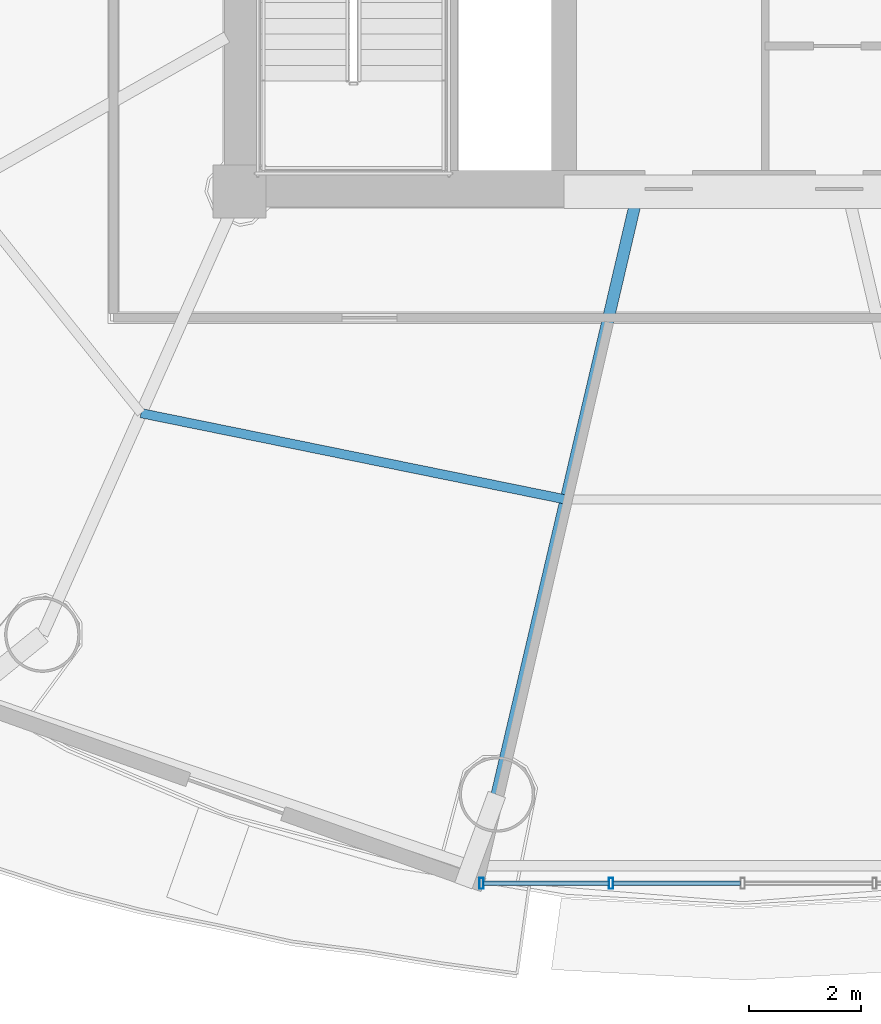
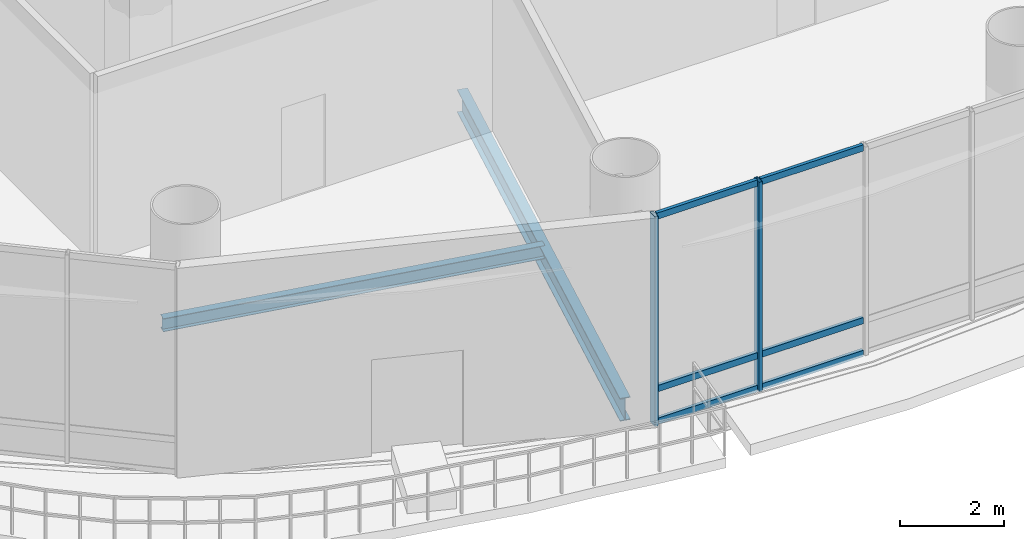
# One storey, part 4 of 29: 8 members, 2 beams, 1 element without a shape of its own.
"""IFC4 building model written with IfcOpenShell, lengths in metres."""

from ifc_helpers import new_model, si_unit, direction, frame, origin, origin_2d, place, context, subcontext, project, spatial, hollow_rectangle, i_section, extrude, source, transform, mapped, material, material_profile, profile_set, type_object, element, aggregate, save


model = new_model("IFC4")

# Units and contexts
model_context = context("Model", 3, precision=1e-05, world=origin(), true_north=direction((-0.2419218956, 0.970295726276)))
body_context = subcontext(model_context, "Body", "Model", "MODEL_VIEW")
ifc_project = project(units=[si_unit("LENGTHUNIT", "METRE"), si_unit("AREAUNIT", "SQUARE_METRE"), si_unit("VOLUMEUNIT", "CUBIC_METRE"), si_unit("PLANEANGLEUNIT", "RADIAN"), si_unit("MASSUNIT", "GRAM", prefix="KILO")], contexts=[model_context])

# Site, building, storey
site_placement = place(None, origin())
site = spatial("IfcSite", under=ifc_project, at=site_placement, CompositionType="ELEMENT")
building_placement = place(site_placement, origin())
building = spatial("IfcBuilding", under=site, at=building_placement, Name="Cobrevalo Terracotta Tower", CompositionType="ELEMENT")
storey_placement = place(building_placement, frame((0.0, 0.0, 130.199951171875)))
storey = spatial("IfcBuildingStorey", under=building, at=storey_placement, Name="L34", CompositionType="ELEMENT", Elevation=130.199951171875)

# Beams
ifc_material_1 = material(Name="Steel S355", Category="steel")
ifc_material_profile_1 = material_profile(ifc_material_1, i_section(OverallWidth=0.2109375, OverallDepth=0.5390625, WebThickness=0.01171875, FlangeThickness=0.018798828125, at=origin_2d()), Name="W 530x109")
ifc_profile_set_1 = profile_set([ifc_material_profile_1], Name="Steel S355")
beam_type_1 = type_object("IfcBeamType", Name="Structural Beam W 530x109 (Steel S355)", PredefinedType="BEAM", material=ifc_profile_set_1)
beam_1_placement = place(storey_placement, frame((33.600830078125, 8.01806640625, -0.719482421875), z_axis=(0.228043508766, 0.973650942643, 0.0), x_axis=(-0.973650942643, 0.228043508766, 0.0)))
element("IfcBeam", 1, at=beam_1_placement, inside=storey, type_object=beam_type_1, Name="L34 radial floor girder 12", PredefinedType="BEAM", context=body_context, shape_type="SweptSolid", body=[
    extrude(i_section(OverallWidth=0.2109375, OverallDepth=0.5390625, WebThickness=0.01171875, FlangeThickness=0.018798828125, at=origin_2d()), origin(), (0.0, 0.0, 1.0), 10.837646484375),
])
ifc_material_profile_2 = material_profile(ifc_material_1, i_section(OverallWidth=0.1650390625, OverallDepth=0.31005859375, WebThickness=0.005859375, FlangeThickness=0.009765625, at=origin_2d()), Name="W 310x38.7")
ifc_profile_set_2 = profile_set([ifc_material_profile_2], Name="Steel S355")
beam_type_2 = type_object("IfcBeamType", Name="Structural Joist W 310x38.7 (Steel S355)", PredefinedType="JOIST", material=ifc_profile_set_2)
beam_2_placement = place(storey_placement, frame((27.23583984375, 14.838623046875, -0.60498046875), z_axis=(0.979966973827, -0.199160061782, 0.0), x_axis=(0.199160061782, 0.979966973827, 0.0)))
element("IfcBeam", 2, at=beam_2_placement, inside=storey, type_object=beam_type_2, Name="L34 circumferential secondary floor joist 11", PredefinedType="JOIST", context=body_context, shape_type="SweptSolid", body=[
    extrude(i_section(OverallWidth=0.1650390625, OverallDepth=0.31005859375, WebThickness=0.005859375, FlangeThickness=0.009765625, at=origin_2d()), origin(), (0.0, 0.0, 1.0), 7.755859375),
])

# Curtain wall, members
ifc_material_2 = material(Name="Anodized aluminium", Category="aluminium")
curtain_wall_type = type_object("IfcCurtainWallType", Name="Double-height sky-lobby panoramic curtain wall CW-SK", PredefinedType="NOTDEFINED", material=ifc_material_2)
curtain_wall_placement = place(storey_placement, origin())
curtain_wall = element("IfcCurtainWall", 3, at=curtain_wall_placement, inside=storey, type_object=curtain_wall_type, Name="L34 curtain wall CW-SK-L34-S12", PredefinedType="NOTDEFINED")
ifc_material_profile_3 = material_profile(ifc_material_2, hollow_rectangle(XDim=0.074951171875, YDim=0.199951171875, WallThickness=0.0048828125, at=origin_2d()), Name="CWM 75x200")
ifc_profile_set_3 = profile_set([ifc_material_profile_3], Name="Anodized aluminium")
member_type_1 = type_object("IfcMemberType", Name="Lower/mid tower unitised mullion 75x200", PredefinedType="MULLION", material=ifc_profile_set_3)
shared_shape_1 = source(origin(), body_context, "Body", "SweptSolid", [
    extrude(hollow_rectangle(XDim=0.074951171875, YDim=0.199951171875, WallThickness=0.0048828125, at=origin_2d()), origin(), (0.0, 0.0, 1.0), 4.929931640625),
])
member_1_placement = place(storey_placement, frame((33.32470703125, 6.42919921875, 0.0), z_axis=(0.0, 0.0, 1.0), x_axis=(1.0, 0.0, 0.0)))
member_1 = element("IfcMember", 4, at=member_1_placement, type_object=member_type_1, Name="CW-SK-L34-S12 vertical mullion 01", PredefinedType="MULLION", context=body_context, shape_type="MappedRepresentation", body=[
    mapped(shared_shape_1, transform((0.0, 0.0, 0.0), scale=1.0)),
])
member_2_placement = place(storey_placement, frame((35.642333984375, 6.42919921875, 0.0), z_axis=(0.0, 0.0, 1.0), x_axis=(1.0, 0.0, 0.0)))
member_2 = element("IfcMember", 5, at=member_2_placement, type_object=member_type_1, Name="CW-SK-L34-S12 vertical mullion 02", PredefinedType="MULLION", context=body_context, shape_type="MappedRepresentation", body=[
    mapped(shared_shape_1, transform((0.0, 0.0, 0.0), scale=1.0)),
])
ifc_material_profile_4 = material_profile(ifc_material_2, hollow_rectangle(XDim=0.074951171875, YDim=0.14990234375, WallThickness=0.00439453125, at=origin_2d()), Name="CWT 75x150")
ifc_profile_set_4 = profile_set([ifc_material_profile_4], Name="Anodized aluminium")
member_type_2 = type_object("IfcMemberType", Name="Tower unitised aluminium transom 75x150", PredefinedType="USERDEFINED", material=ifc_profile_set_4)
shared_shape_2 = source(origin(), body_context, "Body", "SweptSolid", [
    extrude(hollow_rectangle(XDim=0.074951171875, YDim=0.14990234375, WallThickness=0.00439453125, at=origin_2d()), origin(), (0.0, 0.0, 1.0), 2.237548828125),
])
member_3_placement = place(storey_placement, frame((33.36474609375, 6.42919921875, 0.050048828125), z_axis=(1.0, 0.0, 0.0), x_axis=(0.0, 1.0, 0.0)))
member_3 = element("IfcMember", 6, at=member_3_placement, type_object=member_type_2, Name="CW-SK-L34-S12 transom B01-T1", ObjectType="TRANSOM", PredefinedType="USERDEFINED", context=body_context, shape_type="MappedRepresentation", body=[
    mapped(shared_shape_2, transform((0.0, 0.0, 0.0), scale=1.0)),
])
member_4_placement = place(storey_placement, frame((33.36474609375, 6.42919921875, 0.820068359375), z_axis=(1.0, 0.0, 0.0), x_axis=(0.0, 1.0, 0.0)))
member_4 = element("IfcMember", 7, at=member_4_placement, type_object=member_type_2, Name="CW-SK-L34-S12 transom B01-T2", ObjectType="TRANSOM", PredefinedType="USERDEFINED", context=body_context, shape_type="MappedRepresentation", body=[
    mapped(shared_shape_2, transform((0.0, 0.0, 0.0), scale=1.0)),
])
member_5_placement = place(storey_placement, frame((33.36474609375, 6.42919921875, 4.880126953125), z_axis=(1.0, 0.0, 0.0), x_axis=(0.0, 1.0, 0.0)))
member_5 = element("IfcMember", 8, at=member_5_placement, type_object=member_type_2, Name="CW-SK-L34-S12 transom B01-T3", ObjectType="TRANSOM", PredefinedType="USERDEFINED", context=body_context, shape_type="MappedRepresentation", body=[
    mapped(shared_shape_2, transform((0.0, 0.0, 0.0), scale=1.0)),
])
shared_shape_3 = source(origin(), body_context, "Body", "SweptSolid", [
    extrude(hollow_rectangle(XDim=0.074951171875, YDim=0.14990234375, WallThickness=0.00439453125, at=origin_2d()), origin(), (0.0, 0.0, 1.0), 2.277587890625),
])
member_6_placement = place(storey_placement, frame((35.682373046875, 6.42919921875, 0.050048828125), z_axis=(1.0, 0.0, 0.0), x_axis=(0.0, 1.0, 0.0)))
member_6 = element("IfcMember", 9, at=member_6_placement, type_object=member_type_2, Name="CW-SK-L34-S12 transom B02-T1", ObjectType="TRANSOM", PredefinedType="USERDEFINED", context=body_context, shape_type="MappedRepresentation", body=[
    mapped(shared_shape_3, transform((0.0, 0.0, 0.0), scale=1.0)),
])
member_7_placement = place(storey_placement, frame((35.682373046875, 6.42919921875, 0.820068359375), z_axis=(1.0, 0.0, 0.0), x_axis=(0.0, 1.0, 0.0)))
member_7 = element("IfcMember", 10, at=member_7_placement, type_object=member_type_2, Name="CW-SK-L34-S12 transom B02-T2", ObjectType="TRANSOM", PredefinedType="USERDEFINED", context=body_context, shape_type="MappedRepresentation", body=[
    mapped(shared_shape_3, transform((0.0, 0.0, 0.0), scale=1.0)),
])
member_8_placement = place(storey_placement, frame((35.682373046875, 6.42919921875, 4.880126953125), z_axis=(1.0, 0.0, 0.0), x_axis=(0.0, 1.0, 0.0)))
member_8 = element("IfcMember", 11, at=member_8_placement, type_object=member_type_2, Name="CW-SK-L34-S12 transom B02-T3", ObjectType="TRANSOM", PredefinedType="USERDEFINED", context=body_context, shape_type="MappedRepresentation", body=[
    mapped(shared_shape_3, transform((0.0, 0.0, 0.0), scale=1.0)),
])
aggregate(curtain_wall, [member_1, member_2, member_3, member_4, member_5, member_6, member_7, member_8])

save(model, "model.ifc")
